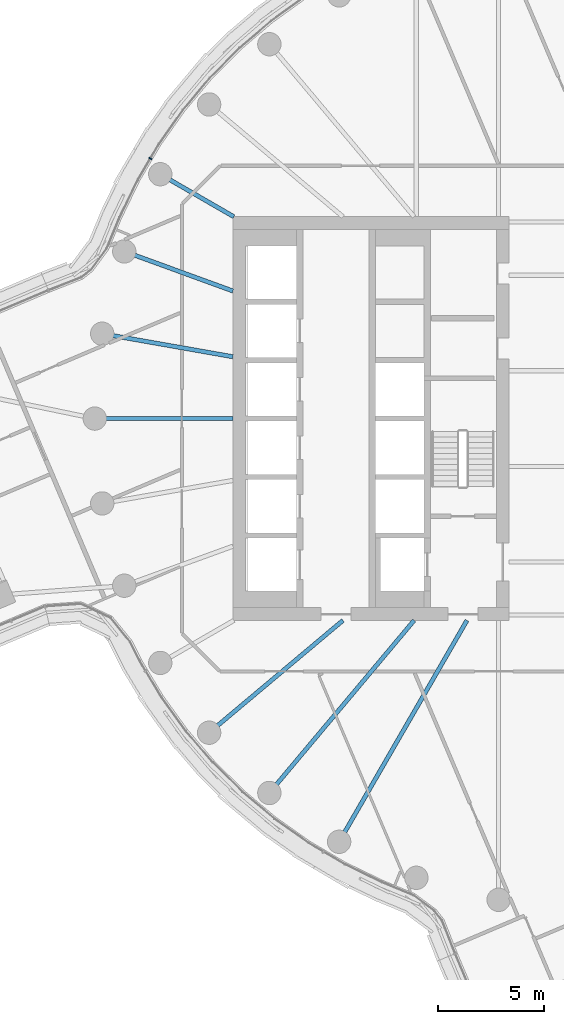
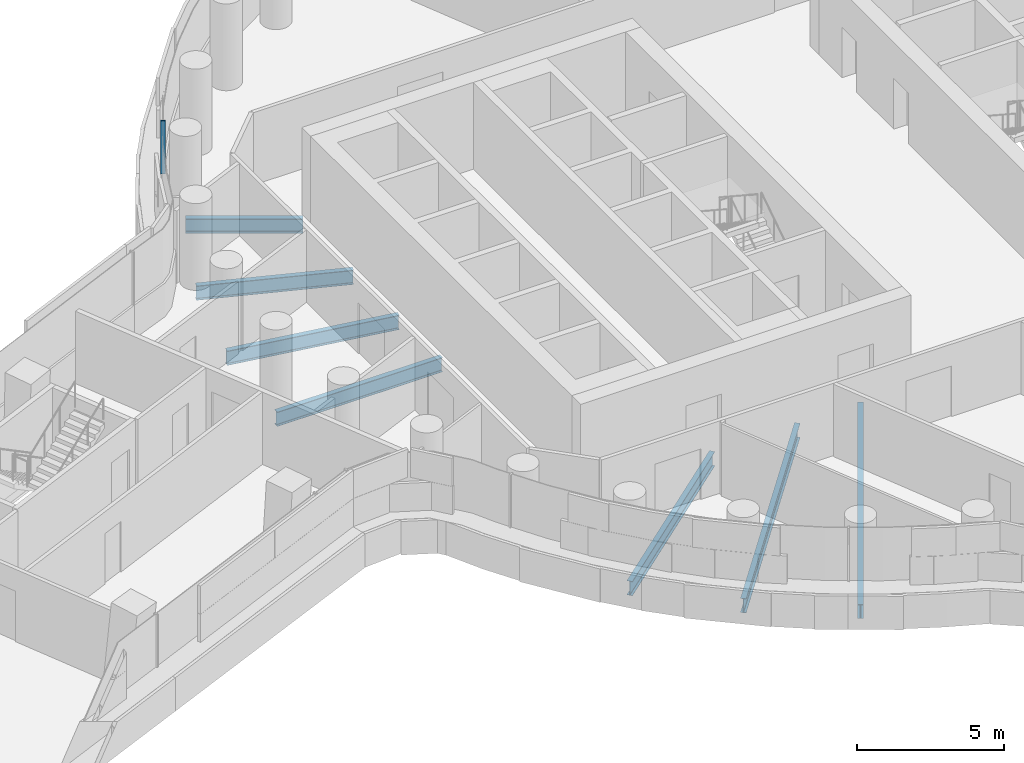
# One storey, part 8 of 35: 7 beams, 1 member, 1 element without a shape of its own.
"""IFC4 building model written with IfcOpenShell, lengths in metres."""

from ifc_helpers import new_model, si_unit, direction, frame, origin, origin_2d, place, context, subcontext, project, spatial, rectangle, i_section, extrude, material, layer, layer_set, material_profile, profile_set, type_object, element, aggregate, save


model = new_model("IFC4")

# Units and contexts
model_context = context("Model", 3, precision=1e-05, world=origin(), true_north=direction((0.0, 1.0)))
body_context = subcontext(model_context, "Body", "Model", "MODEL_VIEW")
ifc_project = project(units=[si_unit("LENGTHUNIT", "METRE"), si_unit("AREAUNIT", "SQUARE_METRE"), si_unit("VOLUMEUNIT", "CUBIC_METRE"), si_unit("PLANEANGLEUNIT", "RADIAN"), si_unit("MASSUNIT", "GRAM", prefix="KILO")], contexts=[model_context])

# Site, building, storey
site_placement = place(None, origin())
site = spatial("IfcSite", under=ifc_project, at=site_placement, CompositionType="ELEMENT")
building_placement = place(site_placement, origin())
building = spatial("IfcBuilding", under=site, at=building_placement, Name="Tamarind Cross Interchange Tower", CompositionType="ELEMENT")
storey_placement = place(building_placement, frame((0.0, 0.0, 117.25)))
storey = spatial("IfcBuildingStorey", under=building, at=storey_placement, Name="L28", CompositionType="ELEMENT", Elevation=117.25)

# Beams
ifc_material_1 = material(Name="Steel Q355B", Category="steel")
ifc_material_profile_1 = material_profile(ifc_material_1, i_section(OverallWidth=0.198974609375, OverallDepth=0.595947265625, WebThickness=0.010009765625, FlangeThickness=0.014892578125, FilletRadius=0.012939453125, at=origin_2d()), Name="HN 596x199x10x15")
ifc_profile_set_1 = profile_set([ifc_material_profile_1], Name="Steel Q355B")
beam_type = type_object("IfcBeamType", Name="Composite beam HN 596x199x10x15 Q355B", PredefinedType="BEAM", material=ifc_profile_set_1)
beam_1_placement = place(storey_placement, frame((-19.918701171875, 11.5, -0.43798828125), z_axis=(0.866026010844, -0.49999894854, 0.0), x_axis=(0.49999894854, 0.866026010844, 0.0)))
element("IfcBeam", 1, at=beam_1_placement, inside=storey, type_object=beam_type, Name="Beam HH15", PredefinedType="BEAM", context=body_context, shape_type="SweptSolid", body=[
    extrude(i_section(OverallWidth=0.198974609375, OverallDepth=0.595947265625, WebThickness=0.010009765625, FlangeThickness=0.014892578125, FilletRadius=0.012939453125, at=origin_2d()), origin(), (0.0, 0.0, 1.0), 4.0),
])
beam_2_placement = place(storey_placement, frame((-21.613037109375, 7.866455078125, -0.43798828125), z_axis=(0.939701685589, -0.341995236956, 0.0), x_axis=(0.341995236956, 0.939701685589, 0.0)))
element("IfcBeam", 2, at=beam_2_placement, inside=storey, type_object=beam_type, Name="Beam HH16", PredefinedType="BEAM", context=body_context, shape_type="SweptSolid", body=[
    extrude(i_section(OverallWidth=0.198974609375, OverallDepth=0.595947265625, WebThickness=0.010009765625, FlangeThickness=0.014892578125, FilletRadius=0.012939453125, at=origin_2d()), origin(), (0.0, 0.0, 1.0), 5.441162109375),
])
beam_3_placement = place(storey_placement, frame((-22.650634765625, 3.993896484375, -0.43798828125), z_axis=(0.984809127561, -0.173640382036, 0.0), x_axis=(0.173640382036, 0.984809127561, 0.0)))
element("IfcBeam", 3, at=beam_3_placement, inside=storey, type_object=beam_type, Name="Beam HH17", PredefinedType="BEAM", context=body_context, shape_type="SweptSolid", body=[
    extrude(i_section(OverallWidth=0.198974609375, OverallDepth=0.595947265625, WebThickness=0.010009765625, FlangeThickness=0.014892578125, FilletRadius=0.012939453125, at=origin_2d()), origin(), (0.0, 0.0, 1.0), 6.24560546875),
])
beam_4_placement = place(storey_placement, frame((-23.0, 0.0, -0.43798828125), z_axis=(1.0, 0.0, 0.0), x_axis=(0.0, 1.0, 0.0)))
element("IfcBeam", 4, at=beam_4_placement, inside=storey, type_object=beam_type, Name="Beam HH18", PredefinedType="BEAM", context=body_context, shape_type="SweptSolid", body=[
    extrude(i_section(OverallWidth=0.198974609375, OverallDepth=0.595947265625, WebThickness=0.010009765625, FlangeThickness=0.014892578125, FilletRadius=0.012939453125, at=origin_2d()), origin(), (0.0, 0.0, 1.0), 6.5),
])
beam_5_placement = place(storey_placement, frame((-17.619140625, -14.7841796875, -0.43798828125), z_axis=(0.766040580814, 0.642792212574, 0.0), x_axis=(-0.642792212574, 0.766040580814, 0.0)))
element("IfcBeam", 5, at=beam_5_placement, inside=storey, type_object=beam_type, Name="Beam HH22", PredefinedType="BEAM", context=body_context, shape_type="SweptSolid", body=[
    extrude(i_section(OverallWidth=0.198974609375, OverallDepth=0.595947265625, WebThickness=0.010009765625, FlangeThickness=0.014892578125, FilletRadius=0.012939453125, at=origin_2d()), origin(), (0.0, 0.0, 1.0), 8.220703125),
])
beam_6_placement = place(storey_placement, frame((-14.7841796875, -17.619140625, -0.43798828125), z_axis=(0.642786293979, 0.766045547127, 0.0), x_axis=(-0.766045547127, 0.642786293979, 0.0)))
element("IfcBeam", 6, at=beam_6_placement, inside=storey, type_object=beam_type, Name="Beam HH23", PredefinedType="BEAM", context=body_context, shape_type="SweptSolid", body=[
    extrude(i_section(OverallWidth=0.198974609375, OverallDepth=0.595947265625, WebThickness=0.010009765625, FlangeThickness=0.014892578125, FilletRadius=0.012939453125, at=origin_2d()), origin(), (0.0, 0.0, 1.0), 10.598876953125),
])
beam_7_placement = place(storey_placement, frame((-11.5, -19.918701171875, -0.43798828125), z_axis=(0.499993565836, 0.866029118519, 0.0), x_axis=(-0.866029118519, 0.499993565836, 0.0)))
element("IfcBeam", 7, at=beam_7_placement, inside=storey, type_object=beam_type, Name="Beam HH24", PredefinedType="BEAM", context=body_context, shape_type="SweptSolid", body=[
    extrude(i_section(OverallWidth=0.198974609375, OverallDepth=0.595947265625, WebThickness=0.010009765625, FlangeThickness=0.014892578125, FilletRadius=0.012939453125, at=origin_2d()), origin(), (0.0, 0.0, 1.0), 12.030517578125),
])

# Curtain wall, member
ifc_material_2 = material(Name="Aluminium 6063-T6", Category="aluminium")
ifc_layer = layer(ifc_material_2, 0.159912109375)
ifc_layer_set = layer_set([ifc_layer], Name="Aluminium 6063-T6")
curtain_wall_type = type_object("IfcCurtainWallType", Name="Office curtain wall, 9.0 m bays", PredefinedType="NOTDEFINED", material=ifc_layer_set)
curtain_wall_placement = place(storey_placement, origin())
curtain_wall = element("IfcCurtainWall", 8, at=curtain_wall_placement, inside=storey, type_object=curtain_wall_type, Name="CWS-L28-14", PredefinedType="NOTDEFINED")
ifc_material_profile_2 = material_profile(ifc_material_2, rectangle(XDim=0.06005859375, YDim=0.159912109375, at=origin_2d()), Name="Mullion CW1")
ifc_profile_set_2 = profile_set([ifc_material_profile_2], Name="Aluminium 6063-T6")
member_type = type_object("IfcMemberType", Name="Mullion CW1", PredefinedType="MULLION", material=ifc_profile_set_2)
member_placement = place(storey_placement, frame((-20.384521484375, 12.23828125, 1.39990234375), z_axis=(0.0, 0.0, 1.0), x_axis=(-0.508183308752, -0.861248933065, 0.0)))
member = element("IfcMember", 9, at=member_placement, type_object=member_type, Name="CWM-L28-14-02", PredefinedType="MULLION", context=body_context, shape_type="SweptSolid", body=[
    extrude(rectangle(XDim=0.06005859375, YDim=0.159912109375, at=origin_2d()), origin(), (0.0, 0.0, 1.0), 2.210205078125),
])
aggregate(curtain_wall, [member])

save(model, "model.ifc")
